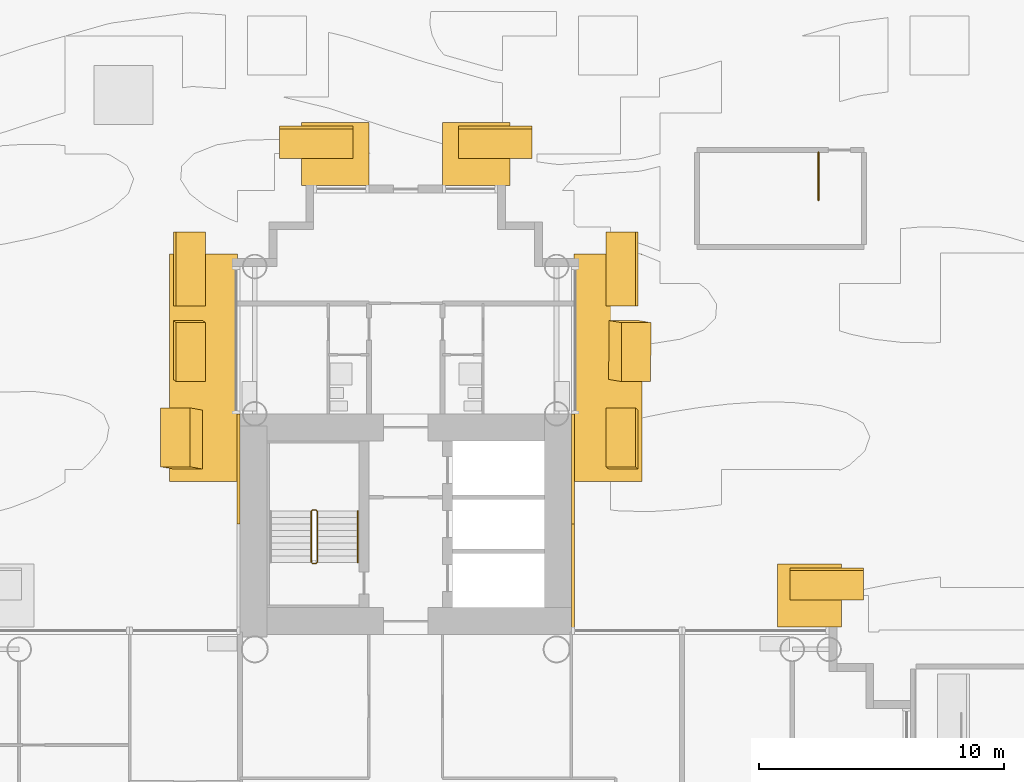
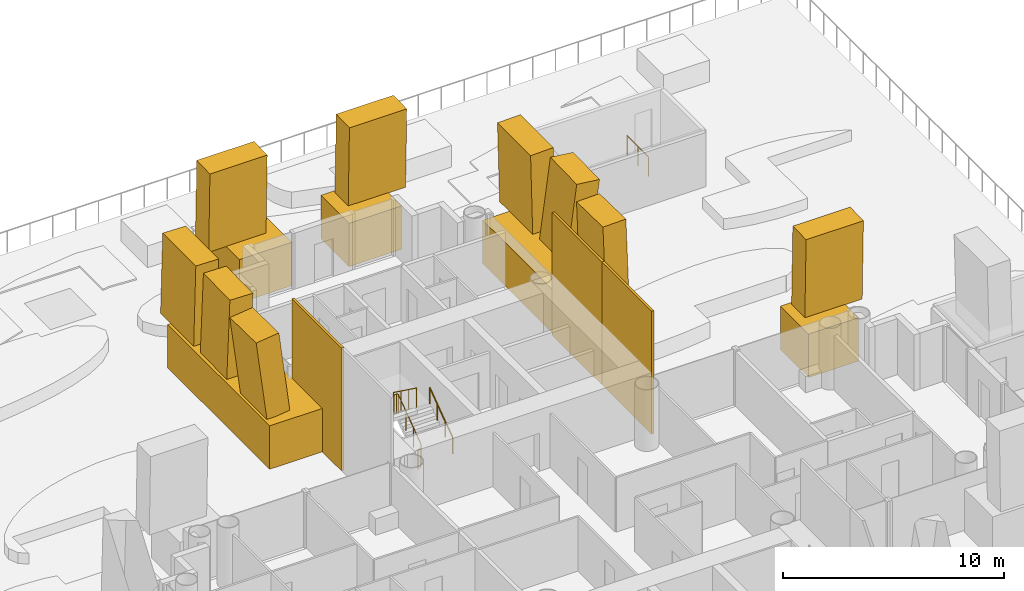
# One storey, part 39 of 40: 17 coverings, 3 railings.
"""IFC4 building model written with IfcOpenShell, lengths in metres."""

import ifcopenshell
import ifcopenshell.guid

model = None  # the IFC model being written
_history = None  # IfcOwnerHistory: only IFC2X3 demands one
_inside = {}  # id of a spatial element -> (the spatial element, [elements in it])
_under = {}  # id of a project, library or spatial element -> (it, [spatial elements below it])
_declared = {}  # id of a project -> (the project, [libraries it declares])
_typed = {}  # id of a type object -> (the type object, [elements of that type])
_made_of = {}  # id of a material, layer set ... -> (it, [elements and type objects made of it])


def new_model(schema):
    """Start an empty IFC model of exactly this schema.

    Asked for "IFC4X3", IfcOpenShell would pick the latest addendum, in which some entities
    have other attributes; the version numbers below select the first issue.
    IFC2X3 requires an IfcOwnerHistory on every rooted entity: one is made here for all.
    """
    global model, _history
    if schema == "IFC4X3":
        model = ifcopenshell.file(schema_version=(4, 3, 0, 0))
    else:
        model = ifcopenshell.file(schema=schema)
    _inside.clear()
    _under.clear()
    _declared.clear()
    _typed.clear()
    _made_of.clear()
    _history = None
    if model.schema == "IFC2X3":
        org = make("IfcOrganization", Name="unknown")
        user = make(
            "IfcPersonAndOrganization",
            ThePerson=make("IfcPerson", FamilyName="unknown"),
            TheOrganization=org,
        )
        app = make(
            "IfcApplication",
            ApplicationDeveloper=org,
            Version="unknown",
            ApplicationFullName="unknown",
            ApplicationIdentifier="unknown",
        )
        _history = make(
            "IfcOwnerHistory",
            OwningUser=user,
            OwningApplication=app,
            ChangeAction="ADDED",
            CreationDate=0,
        )
    return model


def make(cls, **values):
    """One entity of the class cls with the attributes given. An attribute that is None is left unset."""
    return model.create_entity(
        cls, **{name: value for name, value in values.items() if value is not None}
    )


def rooted(cls, **values):
    """An entity with a GlobalId (a new one), such as an element, a storey or a relation."""
    return make(cls, GlobalId=ifcopenshell.guid.new(), OwnerHistory=_history, **values)


def si_unit(unit_type, name, prefix=None):
    """IfcSIUnit, for example si_unit("LENGTHUNIT", "METRE", prefix="MILLI")."""
    return make("IfcSIUnit", UnitType=unit_type, Prefix=prefix, Name=name)


def assignment(units):
    """IfcUnitAssignment: the units of a project."""
    return None if units is None else make("IfcUnitAssignment", Units=units)


def point(xyz):
    """IfcCartesianPoint."""
    return None if xyz is None else make("IfcCartesianPoint", Coordinates=xyz)


def direction(xyz):
    """IfcDirection."""
    return None if xyz is None else make("IfcDirection", DirectionRatios=xyz)


def frame(location, z_axis=None, x_axis=None):
    """IfcAxis2Placement3D, a coordinate frame: its origin and axes. An axis left out is left unset."""
    return make(
        "IfcAxis2Placement3D",
        Location=point(location),
        Axis=direction(z_axis),
        RefDirection=direction(x_axis),
    )


def frame_2d(location, x_axis=None):
    """IfcAxis2Placement2D, a coordinate frame in the plane: its origin and x axis."""
    return make(
        "IfcAxis2Placement2D", Location=point(location), RefDirection=direction(x_axis)
    )


def origin():
    """The frame at (0, 0, 0) with its axes left unset."""
    return frame((0.0, 0.0, 0.0))


def origin_2d():
    """The frame at (0, 0) in the plane with its x axis left unset."""
    return frame_2d((0.0, 0.0))


def place(relative_to, where):
    """IfcLocalPlacement: puts the frame where relative to a parent placement (None: the world)."""
    return make(
        "IfcLocalPlacement", PlacementRelTo=relative_to, RelativePlacement=where
    )


def context(
    kind, dimensions, precision=None, world=None, true_north=None, identifier=None
):
    """IfcGeometricRepresentationContext, for example the 3D "Model" context."""
    return make(
        "IfcGeometricRepresentationContext",
        ContextIdentifier=identifier,
        ContextType=kind,
        CoordinateSpaceDimension=dimensions,
        Precision=precision,
        WorldCoordinateSystem=world,
        TrueNorth=true_north,
    )


def subcontext(parent, identifier, kind, view, scale=None):
    """IfcGeometricRepresentationSubContext, for example "Body" below "Model"."""
    return make(
        "IfcGeometricRepresentationSubContext",
        ContextIdentifier=identifier,
        ContextType=kind,
        ParentContext=parent,
        TargetScale=scale,
        TargetView=view,
    )


def project(units=None, contexts=None):
    """IfcProject with its units and contexts."""
    return rooted(
        "IfcProject",
        Name="project",
        RepresentationContexts=contexts,
        UnitsInContext=assignment(units),
    )


def spatial(cls, under=None, at=None, **own):
    """A site, building, storey or space (cls), placed at a placement, below another one or the project."""
    s = rooted(cls, ObjectPlacement=at, **own)
    if under is not None:
        _under.setdefault(under.id(), (under, []))[1].append(s)
    return s


def profile(cls, at=None, kind="AREA", **sizes):
    """A parametric profile (cls). Its sizes go by their IFC names, for example OverallWidth=200.0."""
    return make(cls, ProfileType=kind, Position=at, **sizes)


def rectangle(**sizes):
    """IfcRectangleProfileDef."""
    return profile("IfcRectangleProfileDef", **sizes)


def circle(**sizes):
    """IfcCircleProfileDef."""
    return profile("IfcCircleProfileDef", **sizes)


def extrude(swept, where, along, depth):
    """IfcExtrudedAreaSolid: the profile swept, set in the frame where, extruded along a direction by depth."""
    return make(
        "IfcExtrudedAreaSolid",
        SweptArea=swept,
        Position=where,
        ExtrudedDirection=direction(along),
        Depth=depth,
    )


def shape(context_of_items, identifier, shape_type, items):
    """IfcShapeRepresentation: the items that make up one representation, for example the "Body"."""
    return make(
        "IfcShapeRepresentation",
        ContextOfItems=context_of_items,
        RepresentationIdentifier=identifier,
        RepresentationType=shape_type,
        Items=items,
    )


def material(Name=None, Category=None):
    """IfcMaterial."""
    return make("IfcMaterial", Name=Name, Category=Category)


def layer(
    of_material, thickness, ventilated=None, Name=None, Category=None, Priority=None
):
    """IfcMaterialLayer: one layer of a wall or slab, of a material (None: an air gap)."""
    return make(
        "IfcMaterialLayer",
        Material=of_material,
        LayerThickness=thickness,
        IsVentilated=ventilated,
        Name=Name,
        Category=Category,
        Priority=Priority,
    )


def layer_set(layers, Name=None):
    """IfcMaterialLayerSet."""
    return make("IfcMaterialLayerSet", MaterialLayers=layers, LayerSetName=Name)


def material_profile(
    of_material, cross_section, Name=None, Category=None, Priority=None
):
    """IfcMaterialProfile: a cross section and its material."""
    return make(
        "IfcMaterialProfile",
        Name=Name,
        Material=of_material,
        Profile=cross_section,
        Priority=Priority,
        Category=Category,
    )


def profile_set(profiles, Name=None, composite=None):
    """IfcMaterialProfileSet."""
    return make(
        "IfcMaterialProfileSet",
        Name=Name,
        MaterialProfiles=profiles,
        CompositeProfile=composite,
    )


def made_of(thing, what):
    """Note that an element or type object is made of a material, layer set ...; save() writes the relation."""
    if what is not None:
        _made_of.setdefault(what.id(), (what, []))[1].append(thing)
    return thing


def type_object(cls, material=None, **own):
    """A type object (cls), such as IfcWallType, which elements share."""
    return made_of(rooted(cls, **own), material)


def element(
    cls,
    number,
    at=None,
    inside=None,
    cuts=None,
    type_object=None,
    material=None,
    context=None,
    identifier="Body",
    shape_type=None,
    held_by="IfcProductDefinitionShape",
    body=None,
    shapes=None,
    **own,
):
    """One element of the class cls, such as IfcWall. Its Tag is "e" and its number.

    at: its placement. inside: the storey or other place that contains it. cuts: it is an
    opening in that element (IfcRelVoidsElement). A single representation is given by context,
    identifier, shape_type and body (its items); several are given by shapes. held_by: the class
    of the entity that holds the representations. save() writes the other relations.
    """
    e = rooted(cls, Tag="e%d" % number, ObjectPlacement=at, **own)
    if body is not None:
        shapes = [shape(context, identifier, shape_type, body)]
    if shapes is not None:
        e.Representation = make(held_by, Representations=shapes)
    if inside is not None:
        _inside.setdefault(inside.id(), (inside, []))[1].append(e)
    if cuts is not None:
        rooted(
            "IfcRelVoidsElement", RelatingBuildingElement=cuts, RelatedOpeningElement=e
        )
    if type_object is not None:
        _typed.setdefault(type_object.id(), (type_object, []))[1].append(e)
    return made_of(e, material)


def aggregate(whole, parts):
    """IfcRelAggregates: a whole, such as a stair, and the parts it consists of."""
    return rooted("IfcRelAggregates", RelatingObject=whole, RelatedObjects=parts)


def save(model, path):
    """Write the relations noted so far, then the file.

    IfcRelAggregates (storeys below a building ...), IfcRelContainedInSpatialStructure (elements
    in a storey), IfcRelDefinesByType, IfcRelAssociatesMaterial and IfcRelDeclares: one each for
    every whole, place, type object, material and project.
    """
    for whole, parts in _under.values():
        aggregate(whole, parts)
    for where, things in _inside.values():
        rooted(
            "IfcRelContainedInSpatialStructure",
            RelatedElements=things,
            RelatingStructure=where,
        )
    for kind, things in _typed.values():
        rooted("IfcRelDefinesByType", RelatedObjects=things, RelatingType=kind)
    for what, things in _made_of.values():
        rooted("IfcRelAssociatesMaterial", RelatedObjects=things, RelatingMaterial=what)
    for by, libraries in _declared.values():
        rooted("IfcRelDeclares", RelatingContext=by, RelatedDefinitions=libraries)
    model.write(path)


model = new_model("IFC4")

# Units and contexts
model_context = context("Model", 3, precision=1e-05, world=origin(), true_north=direction((0.0, 1.0)))
body_context = subcontext(model_context, "Body", "Model", "MODEL_VIEW")
ifc_project = project(units=[si_unit("LENGTHUNIT", "METRE"), si_unit("AREAUNIT", "SQUARE_METRE"), si_unit("VOLUMEUNIT", "CUBIC_METRE"), si_unit("PLANEANGLEUNIT", "RADIAN"), si_unit("MASSUNIT", "GRAM", prefix="KILO")], contexts=[model_context])

# Site, building, storey
site_placement = place(None, origin())
site = spatial("IfcSite", under=ifc_project, at=site_placement, CompositionType="ELEMENT")
building_placement = place(site_placement, origin())
building = spatial("IfcBuilding", under=site, at=building_placement, Name="Ipe Terrace Towers", CompositionType="ELEMENT")
storey_placement = place(building_placement, frame((0.0, 0.0, 24.5)))
storey = spatial("IfcBuildingStorey", under=building, at=storey_placement, Name="L05", CompositionType="ELEMENT", Elevation=24.5)

# Coverings
ifc_material_1 = material(Name="Concrete C50/60 precast, buff finish", Category="concrete")
ifc_layer = layer(ifc_material_1, 0.1201171875)
ifc_layer_set = layer_set([ifc_layer], Name="STONE CORE CLADDING 120")
covering_type_1 = type_object("IfcCoveringType", Name="STONE CORE CLADDING 120", PredefinedType="CLADDING", material=ifc_layer_set)
covering_1_placement = place(storey_placement, frame((29.18994140625, 13.5, 0.0), z_axis=(0.0, 0.0, 1.0), x_axis=(0.0, -1.0, 0.0)))
element("IfcCovering", 1, at=covering_1_placement, inside=storey, type_object=covering_type_1, Name="stone core cladding", PredefinedType="CLADDING", context=body_context, shape_type="SweptSolid", body=[
    extrude(rectangle(XDim=4.5009765625, YDim=0.1201171875, at=origin_2d()), origin(), (0.0, 0.0, 1.0), 6.800048828125),
])
covering_2_placement = place(storey_placement, frame((42.81005859375, 9.0, 0.0), z_axis=(0.0, 0.0, 1.0), x_axis=(0.0, 1.0, 0.0)))
element("IfcCovering", 2, at=covering_2_placement, inside=storey, type_object=covering_type_1, Name="stone core cladding", PredefinedType="CLADDING", context=body_context, shape_type="SweptSolid", body=[
    extrude(rectangle(XDim=4.5, YDim=0.1201171875, at=origin_2d()), origin(), (0.0, 0.0, 1.0), 6.800048828125),
])
covering_3_placement = place(storey_placement, frame((42.81005859375, 13.5, 0.0), z_axis=(0.0, 0.0, 1.0), x_axis=(0.0, 1.0, 0.0)))
element("IfcCovering", 3, at=covering_3_placement, inside=storey, type_object=covering_type_1, Name="stone core cladding", PredefinedType="CLADDING", context=body_context, shape_type="SweptSolid", body=[
    extrude(rectangle(XDim=4.5009765625, YDim=0.1201171875, at=origin_2d()), origin(), (0.0, 0.0, 1.0), 6.800048828125),
])
ifc_material_2 = material(Name="Concrete C50/60 precast, buff finish", Category="concrete")
ifc_material_profile_1 = material_profile(ifc_material_2, rectangle(XDim=2.39990234375, YDim=1.199951171875, at=origin_2d()), Name="STONE FIN 2400 x 1200")
ifc_profile_set_1 = profile_set([ifc_material_profile_1], Name="Concrete C50/60 precast, buff finish")
covering_type_2 = type_object("IfcCoveringType", Name="STONE FIN 2400 x 1200", PredefinedType="USERDEFINED", material=ifc_profile_set_1)
covering_4_placement = place(storey_placement, frame((27.1298828125, 14.699951171875, 2.39990234375), z_axis=(-0.117070138766, 0.020108517953, 0.992920052227), x_axis=(-0.002354583069, -0.999797803311, 0.019970188603)))
element("IfcCovering", 4, at=covering_4_placement, inside=storey, type_object=covering_type_2, Name="stone fin", ObjectType="FIN", PredefinedType="USERDEFINED", context=body_context, shape_type="SweptSolid", body=[
    extrude(rectangle(XDim=2.39990234375, YDim=1.199951171875, at=origin_2d()), origin(), (0.0, 0.0, 1.0), 4.431640625),
])
for number, where, z_axis, x_axis, name in (
    (5, (27.1298828125, 18.35009765625, 2.39990234375), (0.025453987351, -0.020241188198, 0.999471054522), (-0.00051532453, -0.999795126164, -0.020234627259), "stone fin"),
    (6, (44.8701171875, 14.699951171875, 2.39990234375), (-0.025453987351, 0.020241188198, 0.999471054522), (0.00051532453, 0.999795126164, -0.020234627259), "stone fin"),
):
    element("IfcCovering", number, at=place(storey_placement, frame(where, z_axis=z_axis, x_axis=x_axis)), inside=storey, type_object=covering_type_2, Name=name, ObjectType="FIN", PredefinedType="USERDEFINED", context=body_context, shape_type="SweptSolid", body=[
        extrude(rectangle(XDim=2.39990234375, YDim=1.199951171875, at=origin_2d()), origin(), (0.0, 0.0, 1.0), 4.402587890625),
    ])
covering_5_placement = place(storey_placement, frame((44.8701171875, 18.35009765625, 2.39990234375), z_axis=(0.117070138766, -0.020108517953, 0.992920052227), x_axis=(0.002354583069, 0.999797803311, 0.019970188603)))
element("IfcCovering", 7, at=covering_5_placement, inside=storey, type_object=covering_type_2, Name="stone fin", ObjectType="FIN", PredefinedType="USERDEFINED", context=body_context, shape_type="SweptSolid", body=[
    extrude(rectangle(XDim=2.39990234375, YDim=1.199951171875, at=origin_2d()), origin(), (0.0, 0.0, 1.0), 4.431640625),
])
ifc_material_3 = material(Name="Concrete C50/60 precast, buff finish", Category="concrete")
ifc_material_profile_2 = material_profile(ifc_material_3, rectangle(XDim=2.56005859375, YDim=2.39990234375, at=origin_2d()), Name="STONE FIN BASE SPANDREL 2560 x 2400")
ifc_profile_set_2 = profile_set([ifc_material_profile_2], Name="Concrete C50/60 precast, buff finish")
covering_type_3 = type_object("IfcCoveringType", Name="STONE FIN BASE SPANDREL 2560 x 2400", PredefinedType="CLADDING", material=ifc_profile_set_2)
covering_6_placement = place(storey_placement, frame((53.75, 8.340087890625, 1.199951171875), z_axis=(-1.0, 0.0, 0.0), x_axis=(0.0, 1.0, 0.0)))
element("IfcCovering", 8, at=covering_6_placement, inside=storey, type_object=covering_type_3, Name="stone fin spandrel", PredefinedType="CLADDING", context=body_context, shape_type="SweptSolid", body=[
    extrude(rectangle(XDim=2.56005859375, YDim=2.39990234375, at=origin_2d()), origin(), (0.0, 0.0, 1.0), 2.60009765625),
])
for number, where, z_axis, x_axis, name in (
    (9, (40.25, 26.340087890625, 1.199951171875), (-1.0, 0.0, 0.0), (0.0, 1.0, 0.0), "stone fin spandrel"),
    (10, (34.5, 26.340087890625, 1.199951171875), (-1.0, 0.0, 0.0), (0.0, 1.0, 0.0), "stone fin spandrel"),
):
    element("IfcCovering", number, at=place(storey_placement, frame(where, z_axis=z_axis, x_axis=x_axis)), inside=storey, type_object=covering_type_3, Name=name, PredefinedType="CLADDING", context=body_context, shape_type="SweptSolid", body=[
        extrude(rectangle(XDim=2.56005859375, YDim=2.39990234375, at=origin_2d()), origin(), (0.0, 0.0, 1.0), 2.75),
    ])
ifc_material_4 = material(Name="Concrete C50/60 precast, buff finish", Category="concrete")
ifc_material_profile_3 = material_profile(ifc_material_4, rectangle(XDim=2.760009765625, YDim=2.39990234375, at=origin_2d()), Name="STONE FIN BASE SPANDREL 2760 x 2400")
ifc_profile_set_3 = profile_set([ifc_material_profile_3], Name="Concrete C50/60 precast, buff finish")
covering_type_4 = type_object("IfcCoveringType", Name="STONE FIN BASE SPANDREL 2760 x 2400", PredefinedType="CLADDING", material=ifc_profile_set_3)
for number, where, z_axis, x_axis, name in (
    (11, (44.239990234375, 13.0, 1.199951171875), (0.0, 1.0, 0.0), (1.0, 0.0, 0.0), "stone fin spandrel"),
    (12, (27.760009765625, 22.25, 1.199951171875), (0.0, -1.0, 0.0), (-1.0, 0.0, 0.0), "stone fin spandrel"),
):
    element("IfcCovering", number, at=place(storey_placement, frame(where, z_axis=z_axis, x_axis=x_axis)), inside=storey, type_object=covering_type_4, Name=name, PredefinedType="CLADDING", context=body_context, shape_type="SweptSolid", body=[
        extrude(rectangle(XDim=2.760009765625, YDim=2.39990234375, at=origin_2d()), origin(), (0.0, 0.0, 1.0), 9.25),
    ])
ifc_material_5 = material(Name="Concrete C50/60 precast, buff finish", Category="concrete")
ifc_material_profile_4 = material_profile(ifc_material_5, rectangle(XDim=3.0, YDim=1.199951171875, at=origin_2d()), Name="STONE FIN CORNER 3000 x 1200")
ifc_profile_set_4 = profile_set([ifc_material_profile_4], Name="Concrete C50/60 precast, buff finish")
covering_type_5 = type_object("IfcCoveringType", Name="STONE FIN CORNER 3000 x 1200", PredefinedType="USERDEFINED", material=ifc_profile_set_4)
for number, where, z_axis, x_axis, name in (
    (13, (27.1298828125, 21.64990234375, 2.39990234375), (0.025459203276, 0.0, 0.999675861952), (0.0, -1.0, 0.0), "stone fin"),
    (14, (32.35009765625, 26.8701171875, 2.39990234375), (0.0, -0.025459203276, 0.999675861952), (-1.0, 0.0, 0.0), "stone fin"),
    (15, (39.64990234375, 26.8701171875, 2.39990234375), (0.0, -0.025459203276, 0.999675861952), (-1.0, 0.0, 0.0), "stone fin"),
    (16, (44.8701171875, 21.64990234375, 2.39990234375), (-0.025459203276, 0.0, 0.999675861952), (0.0, 1.0, 0.0), "stone fin"),
    (17, (53.14990234375, 8.8701171875, 2.39990234375), (0.0, -0.025459203276, 0.999675861952), (-1.0, 0.0, 0.0), "stone fin"),
):
    element("IfcCovering", number, at=place(storey_placement, frame(where, z_axis=z_axis, x_axis=x_axis)), inside=storey, type_object=covering_type_5, Name=name, ObjectType="FIN", PredefinedType="USERDEFINED", context=body_context, shape_type="SweptSolid", body=[
        extrude(rectangle(XDim=3.0, YDim=1.199951171875, at=origin_2d()), origin(), (0.0, 0.0, 1.0), 4.401611328125),
    ])

# Railings
ifc_material_6 = material(Name="Steel S355", Category="steel")
railing_type_1 = type_object("IfcRailingType", Name="Stair guard 1100", PredefinedType="GUARDRAIL", material=ifc_material_6)
railing_1_placement = place(storey_placement, frame((32.199951171875, 9.64990234375, 0.0)))
element("IfcRailing", 18, at=railing_1_placement, inside=storey, type_object=railing_type_1, Name="L05 T2-ST1 stair guard 1", PredefinedType="GUARDRAIL", context=body_context, shape_type="SweptSolid", body=[
    extrude(circle(Radius=0.02392578125, at=origin_2d()), frame((0.0, 0.0, 1.076171875), z_axis=(1.0, 0.0, 0.0), x_axis=(0.0, 1.0, 0.0)), (0.0, 0.0, 1.0), 0.150146484375),
    extrude(circle(Radius=0.02392578125, at=origin_2d()), frame((0.150146484375, 0.0, 1.076171875), z_axis=(0.246893586699, 0.248103849378, 0.936743314239), x_axis=(-0.708833529934, 0.705375805398, 0.0)), (0.0, 0.0, 1.0), 0.20166015625),
    extrude(circle(Radius=0.02392578125, at=origin_2d()), frame((0.199951171875, 0.050048828125, 1.26513671875), z_axis=(0.0, 0.809068575486, 0.587714250432), x_axis=(-1.0, 0.0, 0.0)), (0.0, 0.0, 1.0), 2.571044921875),
    extrude(circle(Radius=0.02392578125, at=origin_2d()), frame((0.199951171875, 2.130126953125, 2.77587890625), z_axis=(-0.705375805398, 0.708833529934, 0.0), x_axis=(-0.708833529934, -0.705375805398, 0.0)), (0.0, 0.0, 1.0), 0.070556640625),
    extrude(circle(Radius=0.02392578125, at=origin_2d()), frame((0.150146484375, 2.18017578125, 2.77587890625), z_axis=(-1.0, 0.0, 0.0), x_axis=(0.0, -1.0, 0.0)), (0.0, 0.0, 1.0), 0.150146484375),
    extrude(circle(Radius=0.02392578125, at=origin_2d()), frame((0.0, 2.18017578125, 2.77587890625), z_axis=(-0.248029566107, -0.248029566107, 0.936462849596), x_axis=(0.707106781187, -0.707106781187, 0.0)), (0.0, 0.0, 1.0), 0.201904296875),
    extrude(circle(Radius=0.02392578125, at=origin_2d()), frame((-0.050048828125, 2.130126953125, 2.96484375), z_axis=(0.0, -0.809068575486, 0.587714250432), x_axis=(1.0, 0.0, 0.0)), (0.0, 0.0, 1.0), 2.571044921875),
    extrude(circle(Radius=0.02099609375, at=origin_2d()), origin(), (0.0, 0.0, 1.0), 1.052001953125),
    extrude(circle(Radius=0.02099609375, at=origin_2d()), frame((0.150146484375, 0.0, 0.0)), (0.0, 0.0, 1.0), 1.052001953125),
    extrude(circle(Radius=0.02099609375, at=origin_2d()), frame((0.199951171875, 0.050048828125, 0.18896484375)), (0.0, 0.0, 1.0), 1.052001953125),
    extrude(circle(Radius=0.02099609375, at=origin_2d()), frame((0.199951171875, 0.743408203125, 0.692626953125)), (0.0, 0.0, 1.0), 1.052001953125),
    extrude(circle(Radius=0.02099609375, at=origin_2d()), frame((0.199951171875, 1.436767578125, 1.1962890625)), (0.0, 0.0, 1.0), 1.052001953125),
    extrude(circle(Radius=0.02099609375, at=origin_2d()), frame((0.199951171875, 2.130126953125, 1.699951171875)), (0.0, 0.0, 1.0), 1.052001953125),
    extrude(circle(Radius=0.02099609375, at=origin_2d()), frame((0.150146484375, 2.18017578125, 1.699951171875)), (0.0, 0.0, 1.0), 1.052001953125),
    extrude(circle(Radius=0.02099609375, at=origin_2d()), frame((0.0, 2.18017578125, 1.699951171875)), (0.0, 0.0, 1.0), 1.052001953125),
    extrude(circle(Radius=0.02099609375, at=origin_2d()), frame((-0.050048828125, 2.130126953125, 1.888916015625)), (0.0, 0.0, 1.0), 1.052001953125),
    extrude(circle(Radius=0.02099609375, at=origin_2d()), frame((-0.050048828125, 1.436767578125, 2.392578125)), (0.0, 0.0, 1.0), 1.052001953125),
    extrude(circle(Radius=0.02099609375, at=origin_2d()), frame((-0.050048828125, 0.743408203125, 2.896240234375)), (0.0, 0.0, 1.0), 1.052001953125),
    extrude(circle(Radius=0.02099609375, at=origin_2d()), frame((-0.050048828125, 0.050048828125, 3.39990234375)), (0.0, 0.0, 1.0), 1.052001953125),
])
railing_2_placement = place(storey_placement, frame((52.820068359375, 26.39990234375, 0.0)))
element("IfcRailing", 19, at=railing_2_placement, inside=storey, type_object=railing_type_1, Name="L05 PS3 top well guard 1", PredefinedType="GUARDRAIL", context=body_context, shape_type="SweptSolid", body=[
    extrude(circle(Radius=0.02392578125, at=origin_2d()), frame((0.0, 0.0, 1.076171875), z_axis=(0.0, -1.0, 0.0), x_axis=(1.0, 0.0, 0.0)), (0.0, 0.0, 1.0), 1.949951171875),
    extrude(circle(Radius=0.02099609375, at=origin_2d()), origin(), (0.0, 0.0, 1.0), 1.052001953125),
    extrude(circle(Radius=0.02099609375, at=origin_2d()), frame((0.0, -0.97509765625, 0.0)), (0.0, 0.0, 1.0), 1.052001953125),
    extrude(circle(Radius=0.02099609375, at=origin_2d()), frame((0.0, -1.949951171875, 0.0)), (0.0, 0.0, 1.0), 1.052001953125),
])
ifc_material_7 = material(Name="Stainless steel grade 304", Category="steel")
railing_type_2 = type_object("IfcRailingType", Name="Stair handrail 900", PredefinedType="HANDRAIL", material=ifc_material_7)
railing_3_placement = place(storey_placement, frame((34.050048828125, 9.699951171875, 0.18896484375)))
element("IfcRailing", 20, at=railing_3_placement, inside=storey, type_object=railing_type_2, Name="L05 T2-ST1 stair handrail 1", PredefinedType="HANDRAIL", context=body_context, shape_type="SweptSolid", body=[
    extrude(circle(Radius=0.02392578125, at=origin_2d()), frame((0.0, 0.0, 0.8759765625), z_axis=(0.0, 0.809068575486, 0.587714250432), x_axis=(-1.0, 0.0, 0.0)), (0.0, 0.0, 1.0), 2.571044921875),
    extrude(circle(Radius=0.02099609375, at=origin_2d()), origin(), (0.0, 0.0, 1.0), 0.851806640625),
    extrude(circle(Radius=0.02099609375, at=origin_2d()), frame((0.0, 0.693359375, 0.503662109375)), (0.0, 0.0, 1.0), 0.851806640625),
    extrude(circle(Radius=0.02099609375, at=origin_2d()), frame((0.0, 1.38671875, 1.00732421875)), (0.0, 0.0, 1.0), 0.851806640625),
    extrude(circle(Radius=0.02099609375, at=origin_2d()), frame((0.0, 2.080078125, 1.510986328125)), (0.0, 0.0, 1.0), 0.851806640625),
])

save(model, "model.ifc")
